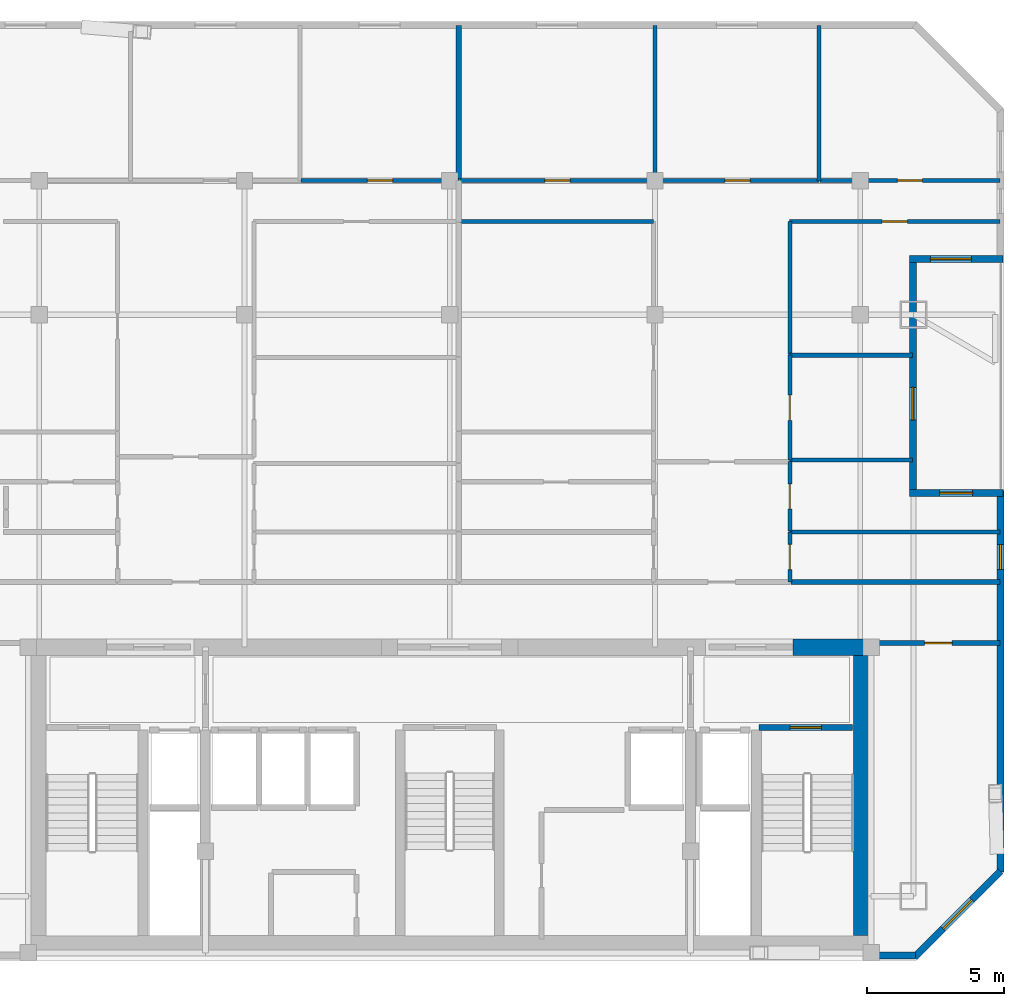
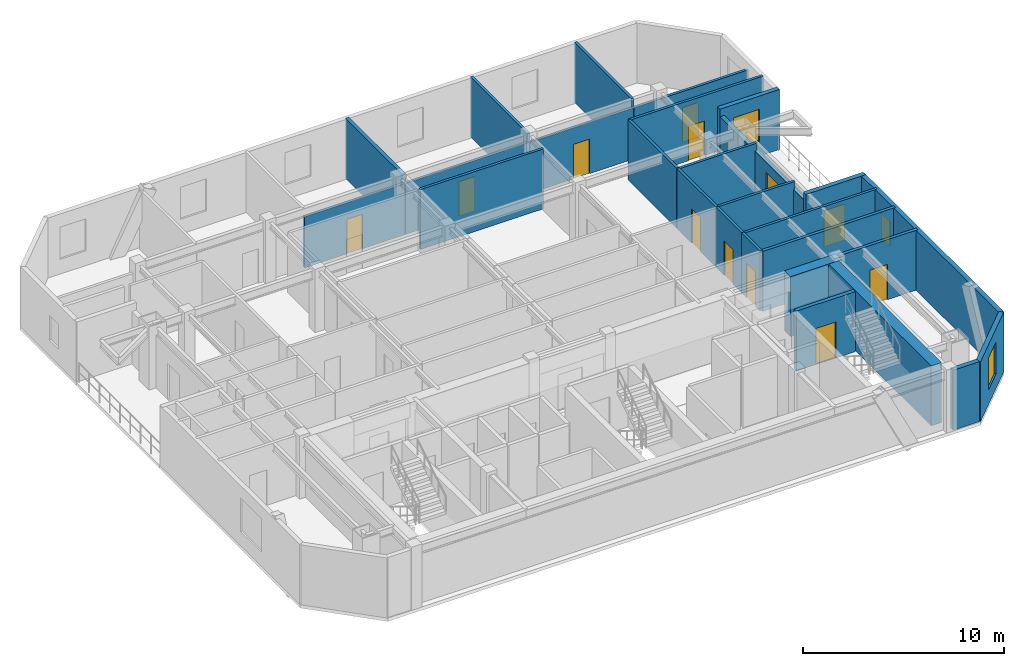
# One storey, part 5 of 7: 27 walls, 11 doors, 4 windows, 15 openings.
"""IFC4 building model written with IfcOpenShell, lengths in metres."""

from ifc_helpers import new_model, si_unit, direction, frame, frame_2d, origin, place, context, subcontext, project, spatial, rectangle, extrude, material, layer, layer_set, type_object, element, fill, save


model = new_model("IFC4")

# Units and contexts
model_context = context("Model", 3, precision=1e-05, world=origin(), true_north=direction((0.0, 1.0)))
body_context = subcontext(model_context, "Body", "Model", "MODEL_VIEW")
ifc_project = project(units=[si_unit("LENGTHUNIT", "METRE"), si_unit("AREAUNIT", "SQUARE_METRE"), si_unit("VOLUMEUNIT", "CUBIC_METRE"), si_unit("PLANEANGLEUNIT", "RADIAN"), si_unit("MASSUNIT", "GRAM", prefix="KILO")], contexts=[model_context])

# Site, building, storey
site_placement = place(None, origin())
site = spatial("IfcSite", under=ifc_project, at=site_placement, CompositionType="ELEMENT")
building_placement = place(site_placement, origin())
building = spatial("IfcBuilding", under=site, at=building_placement, Name="Ventersveld Concourse Tower", CompositionType="ELEMENT")
storey_placement = place(building_placement, frame((0.0, 0.0, 288.75)))
storey = spatial("IfcBuildingStorey", under=building, at=storey_placement, Name="L71", CompositionType="ELEMENT", Elevation=288.75)

# Walls
ifc_material_1 = material(Name="Concrete C50/60", Category="concrete")
ifc_layer_1 = layer(ifc_material_1, 0.60009765625)
ifc_layer_set_1 = layer_set([ifc_layer_1], Name="Concrete C50/60")
wall_type_1 = type_object("IfcWallType", Name="WL-CORE-600", PredefinedType="SHEAR", material=ifc_layer_set_1)
wall_1_placement = place(storey_placement, frame((43.800048828125, 0.919921875, 0.0), z_axis=(0.0, 0.0, 1.0), x_axis=(0.0, 1.0, 0.0)))
element("IfcWall", 1, at=wall_1_placement, inside=storey, type_object=wall_type_1, Name="L71 Rear Core East Shear Wall", PredefinedType="SHEAR", context=body_context, shape_type="SweptSolid", body=[
    extrude(rectangle(XDim=10.530029296875, YDim=0.60009765625, at=frame_2d((5.26513671875, 0.0))), origin(), (0.0, 0.0, 1.0), 3.64990234375),
])
wall_2_placement = place(storey_placement, frame((41.300048828125, 11.449951171875, 0.0), z_axis=(0.0, 0.0, 1.0), x_axis=(1.0, 0.0, 0.0)))
element("IfcWall", 2, at=wall_2_placement, inside=storey, type_object=wall_type_1, Name="L71 Rear Core North Shear Wall NE", PredefinedType="SHEAR", context=body_context, shape_type="SweptSolid", body=[
    extrude(rectangle(XDim=2.949951171875, YDim=0.60009765625, at=frame_2d((1.47509765625, 0.0))), origin(), (0.0, 0.0, 1.0), 3.64990234375),
])

# Wall, opening, door
ifc_material_2 = material(Name="Fire-rated autoclaved aerated masonry blockwork", Category="masonry")
ifc_layer_2 = layer(ifc_material_2, 0.179931640625)
ifc_layer_set_2 = layer_set([ifc_layer_2], Name="Fire-rated autoclaved aerated masonry blockwork")
wall_type_2 = type_object("IfcWallType", Name="WL-CORR-180", PredefinedType="PARTITIONING", material=ifc_layer_set_2)
wall_3_placement = place(storey_placement, frame((44.35498046875, 11.60009765625, 0.0), z_axis=(0.0, 0.0, 1.0), x_axis=(1.0, 0.0, 0.0)))
wall_3 = element("IfcWall", 3, at=wall_3_placement, inside=storey, type_object=wall_type_2, Name="L71 Interior Partition SP-L71-SE-OFF-SP-L71-COR", PredefinedType="PARTITIONING", context=body_context, shape_type="SweptSolid", body=[
    extrude(rectangle(XDim=4.500244140625, YDim=0.179931640625, at=frame_2d((2.25, 0.0))), origin(), (0.0, 0.0, 1.0), 3.64990234375),
])
opening_1_placement = place(wall_3_placement, frame((1.75, 0.0, 0.0)))
opening_1 = element("IfcOpeningElement", 4, at=opening_1_placement, cuts=wall_3, Name="Opening FD3", PredefinedType="OPENING", context=body_context, shape_type="SweptSolid", body=[
    extrude(rectangle(XDim=1.0, YDim=2.14990234375, at=frame_2d((0.5, 1.074951171875))), frame((0.0, 0.10009765625, 0.0), z_axis=(0.0, -1.0, 0.0), x_axis=(1.0, 0.0, 0.0)), (0.0, 0.0, 1.0), 0.199951171875),
])
ifc_material_3 = material(Name="Solid-core hardwood veneer timber", Category="wood")
door_type_1 = type_object("IfcDoorType", Name="DR-FLAT-100", OperationType="NOTDEFINED", PredefinedType="DOOR", material=ifc_material_3)
door_1_placement = place(opening_1_placement, origin())
door_1 = element("IfcDoor", 5, at=door_1_placement, inside=storey, type_object=door_type_1, Name="L71 Interior Door SP-L71-SE-OFF to SP-L71-COR (D-L71-3301)", OperationType="SINGLE_SWING_LEFT", OverallHeight=2.14990234375, OverallWidth=1.0, PredefinedType="DOOR", context=body_context, shape_type="SweptSolid", body=[
    extrude(rectangle(XDim=1.0, YDim=2.14990234375, at=frame_2d((0.5, 1.074951171875))), frame((0.0, 0.02490234375, 0.0), z_axis=(0.0, -1.0, 0.0), x_axis=(1.0, 0.0, 0.0)), (0.0, 0.0, 1.0), 0.050048828125),
])
fill(opening_1, door_1)

# Walls
wall_4_placement = place(storey_placement, frame((41.212646484375, 13.830078125, 0.0), z_axis=(0.0, 0.0, 1.0), x_axis=(1.0, 0.0, 0.0)))
element("IfcWall", 6, at=wall_4_placement, inside=storey, type_object=wall_type_2, Name="L71 Interior Partition SP-L71-COR-SP-L71-71N2-KIT", PredefinedType="PARTITIONING", context=body_context, shape_type="SweptSolid", body=[
    extrude(rectangle(XDim=7.642578125, YDim=0.179931640625, at=frame_2d((3.8212890625, 0.0))), origin(), (0.0, 0.0, 1.0), 3.64990234375),
])
ifc_layer_3 = layer(ifc_material_2, 0.199951171875)
ifc_layer_set_3 = layer_set([ifc_layer_3], Name="Fire-rated autoclaved aerated masonry blockwork")
wall_type_3 = type_object("IfcWallType", Name="WL-DEMISE-200", PredefinedType="PARTITIONING", material=ifc_layer_set_3)
wall_5_placement = place(storey_placement, frame((29.081787109375, 28.534912109375, 0.0), z_axis=(0.0, 0.0, 1.0), x_axis=(0.0, 1.0, 0.0)))
element("IfcWall", 7, at=wall_5_placement, inside=storey, type_object=wall_type_3, Name="L71 Interior Partition SP-L71-71N1-BR3-SP-L71-71N2-BR1", PredefinedType="PARTITIONING", context=body_context, shape_type="SweptSolid", body=[
    extrude(rectangle(XDim=5.63671875, YDim=0.199951171875, at=frame_2d((2.818359375, 0.0))), origin(), (0.0, 0.0, 1.0), 3.64990234375),
])

# Wall, opening, door
ifc_layer_4 = layer(ifc_material_2, 0.219970703125)
ifc_layer_set_4 = layer_set([ifc_layer_4], Name="Fire-rated autoclaved aerated masonry blockwork")
wall_type_4 = type_object("IfcWallType", Name="WL-HOIST-220", PredefinedType="SOLIDWALL", material=ifc_layer_set_4)
wall_6_placement = place(storey_placement, frame((40.06005859375, 8.52001953125, 0.0), z_axis=(0.0, 0.0, 1.0), x_axis=(1.0, 0.0, 0.0)))
wall_6 = element("IfcWall", 8, at=wall_6_placement, inside=storey, type_object=wall_type_4, Name="L71 Escape Stair ST02 Fire Wall", PredefinedType="SOLIDWALL", context=body_context, shape_type="SweptSolid", body=[
    extrude(rectangle(XDim=3.39990234375, YDim=0.219970703125, at=frame_2d((1.699951171875, 0.0))), origin(), (0.0, 0.0, 1.0), 3.64990234375),
])
opening_2_placement = place(wall_6_placement, frame((1.125, 0.0, 0.0)))
opening_2 = element("IfcOpeningElement", 9, at=opening_2_placement, cuts=wall_6, Name="Opening FD1", PredefinedType="OPENING", context=body_context, shape_type="SweptSolid", body=[
    extrude(rectangle(XDim=1.14990234375, YDim=2.199951171875, at=frame_2d((0.574951171875, 1.10009765625))), frame((0.0, 0.1201171875, 0.0), z_axis=(0.0, -1.0, 0.0), x_axis=(1.0, 0.0, 0.0)), (0.0, 0.0, 1.0), 0.239990234375),
])
ifc_material_4 = material(Name="Galvanised painted steel", Category="steel")
door_type_2 = type_object("IfcDoorType", Name="DR-STAIR-115", OperationType="NOTDEFINED", PredefinedType="DOOR", material=ifc_material_4)
door_2_placement = place(opening_2_placement, origin())
door_2 = element("IfcDoor", 10, at=door_2_placement, inside=storey, type_object=door_type_2, Name="L71 Escape Stair Door ST02 (SD-L71-3291)", OperationType="SINGLE_SWING_RIGHT", OverallHeight=2.199951171875, OverallWidth=1.14990234375, PredefinedType="DOOR", context=body_context, shape_type="SweptSolid", body=[
    extrude(rectangle(XDim=1.14990234375, YDim=2.199951171875, at=frame_2d((0.574951171875, 1.10009765625))), frame((0.0, 0.02490234375, 0.0), z_axis=(0.0, -1.0, 0.0), x_axis=(1.0, 0.0, 0.0)), (0.0, 0.0, 1.0), 0.050048828125),
])
fill(opening_2, door_2)

ifc_material_5 = material(Name="Autoclaved aerated masonry blockwork", Category="masonry")
ifc_layer_5 = layer(ifc_material_5, 0.14990234375)
ifc_layer_set_5 = layer_set([ifc_layer_5], Name="Autoclaved aerated masonry blockwork")
wall_type_5 = type_object("IfcWallType", Name="WL-INT-150", PredefinedType="PARTITIONING", material=ifc_layer_set_5)
wall_7_placement = place(storey_placement, frame((23.3203125, 28.5, 0.0), z_axis=(0.0, 0.0, 1.0), x_axis=(1.0, 0.0, 0.0)))
wall_7 = element("IfcWall", 11, at=wall_7_placement, inside=storey, type_object=wall_type_5, Name="L71 Interior Partition SP-L71-71N1-LIV-SP-L71-71N1-BR3", PredefinedType="PARTITIONING", context=body_context, shape_type="SweptSolid", body=[
    extrude(rectangle(XDim=5.766357421875, YDim=0.14990234375, at=frame_2d((2.88330078125, 0.0))), origin(), (0.0, 0.0, 1.0), 3.116943359375),
])
opening_3_placement = place(wall_7_placement, frame((2.42333984375, 0.0, 0.0)))
opening_3 = element("IfcOpeningElement", 12, at=opening_3_placement, cuts=wall_7, Name="Opening ID1", PredefinedType="OPENING", context=body_context, shape_type="SweptSolid", body=[
    extrude(rectangle(XDim=0.919921875, YDim=2.10009765625, at=frame_2d((0.4599609375, 1.050048828125))), frame((0.0, 0.0849609375, 0.0), z_axis=(0.0, -1.0, 0.0), x_axis=(1.0, 0.0, 0.0)), (0.0, 0.0, 1.0), 0.169921875),
])
door_type_3 = type_object("IfcDoorType", Name="DR-ROOM-092", OperationType="NOTDEFINED", PredefinedType="DOOR", material=ifc_material_3)
door_3_placement = place(opening_3_placement, origin())
door_3 = element("IfcDoor", 13, at=door_3_placement, inside=storey, type_object=door_type_3, Name="L71 Interior Door SP-L71-71N1-LIV to SP-L71-71N1-BR3 (D-L71-3314)", OperationType="SINGLE_SWING_RIGHT", OverallHeight=2.10009765625, OverallWidth=0.919921875, PredefinedType="DOOR", context=body_context, shape_type="SweptSolid", body=[
    extrude(rectangle(XDim=0.919921875, YDim=2.10009765625, at=frame_2d((0.4599609375, 1.050048828125))), frame((0.0, 0.02490234375, 0.0), z_axis=(0.0, -1.0, 0.0), x_axis=(1.0, 0.0, 0.0)), (0.0, 0.0, 1.0), 0.050048828125),
])
fill(opening_3, door_3)

wall_8_placement = place(storey_placement, frame((41.177490234375, 13.824951171875, 0.0), z_axis=(0.0, 0.0, 1.0), x_axis=(0.0, 1.0, 0.0)))
wall_8 = element("IfcWall", 14, at=wall_8_placement, inside=storey, type_object=wall_type_5, Name="L71 Interior Partition SP-L71-71N2-FOY-SP-L71-71N2-KIT", PredefinedType="PARTITIONING", context=body_context, shape_type="SweptSolid", body=[
    extrude(rectangle(XDim=1.840087890625, YDim=0.14990234375, at=frame_2d((0.919921875, 0.0))), origin(), (0.0, 0.0, 1.0), 3.64990234375),
])
opening_4_placement = place(wall_8_placement, frame((0.4599609375, 0.0, 0.0)))
opening_4 = element("IfcOpeningElement", 15, at=opening_4_placement, cuts=wall_8, Name="Opening ID1", PredefinedType="OPENING", context=body_context, shape_type="SweptSolid", body=[
    extrude(rectangle(XDim=0.919921875, YDim=2.10009765625, at=frame_2d((0.4599609375, 1.050048828125))), frame((0.0, 0.0849609375, 0.0), z_axis=(0.0, -1.0, 0.0), x_axis=(1.0, 0.0, 0.0)), (0.0, 0.0, 1.0), 0.169921875),
])
door_4_placement = place(opening_4_placement, origin())
door_4 = element("IfcDoor", 16, at=door_4_placement, inside=storey, type_object=door_type_3, Name="L71 Interior Door SP-L71-71N2-FOY to SP-L71-71N2-KIT (D-L71-3318)", OperationType="SINGLE_SWING_RIGHT", OverallHeight=2.10009765625, OverallWidth=0.919921875, PredefinedType="DOOR", context=body_context, shape_type="SweptSolid", body=[
    extrude(rectangle(XDim=0.919921875, YDim=2.10009765625, at=frame_2d((0.4599609375, 1.050048828125))), frame((0.0, 0.02490234375, 0.0), z_axis=(0.0, -1.0, 0.0), x_axis=(1.0, 0.0, 0.0)), (0.0, 0.0, 1.0), 0.050048828125),
])
fill(opening_4, door_4)

wall_9_placement = place(storey_placement, frame((41.177490234375, 15.695068359375, 0.0), z_axis=(0.0, 0.0, 1.0), x_axis=(0.0, 1.0, 0.0)))
wall_9 = element("IfcWall", 17, at=wall_9_placement, inside=storey, type_object=wall_type_5, Name="L71 Interior Partition SP-L71-71N2-FOY-SP-L71-71N2-SEMR1", PredefinedType="PARTITIONING", context=body_context, shape_type="SweptSolid", body=[
    extrude(rectangle(XDim=2.535400390625, YDim=0.14990234375, at=frame_2d((1.267578125, 0.0))), origin(), (0.0, 0.0, 1.0), 3.64990234375),
])
opening_5_placement = place(wall_9_placement, frame((0.8076171875, 0.0, 0.0)))
opening_5 = element("IfcOpeningElement", 18, at=opening_5_placement, cuts=wall_9, Name="Opening ID1", PredefinedType="OPENING", context=body_context, shape_type="SweptSolid", body=[
    extrude(rectangle(XDim=0.919921875, YDim=2.10009765625, at=frame_2d((0.4599609375, 1.050048828125))), frame((0.0, 0.0849609375, 0.0), z_axis=(0.0, -1.0, 0.0), x_axis=(1.0, 0.0, 0.0)), (0.0, 0.0, 1.0), 0.169921875),
])
door_5_placement = place(opening_5_placement, origin())
door_5 = element("IfcDoor", 19, at=door_5_placement, inside=storey, type_object=door_type_3, Name="L71 Interior Door SP-L71-71N2-FOY to SP-L71-71N2-SEMR1 (D-L71-3319)", OperationType="SINGLE_SWING_LEFT", OverallHeight=2.10009765625, OverallWidth=0.919921875, PredefinedType="DOOR", context=body_context, shape_type="SweptSolid", body=[
    extrude(rectangle(XDim=0.919921875, YDim=2.10009765625, at=frame_2d((0.4599609375, 1.050048828125))), frame((0.0, 0.02490234375, 0.0), z_axis=(0.0, -1.0, 0.0), x_axis=(1.0, 0.0, 0.0)), (0.0, 0.0, 1.0), 0.050048828125),
])
fill(opening_5, door_5)

# Wall
wall_10_placement = place(storey_placement, frame((29.11669921875, 27.0, 0.0), z_axis=(0.0, 0.0, 1.0), x_axis=(1.0, 0.0, 0.0)))
element("IfcWall", 20, at=wall_10_placement, inside=storey, type_object=wall_type_5, Name="L71 Interior Partition SP-L71-71N2-LIV-SP-L71-71N2-DENL", PredefinedType="PARTITIONING", context=body_context, shape_type="SweptSolid", body=[
    extrude(rectangle(XDim=7.0859375, YDim=0.14990234375, at=frame_2d((3.54296875, 0.0))), origin(), (0.0, 0.0, 1.0), 3.64990234375),
])

# Wall, opening, door
wall_11_placement = place(storey_placement, frame((41.177490234375, 18.2822265625, 0.0), z_axis=(0.0, 0.0, 1.0), x_axis=(0.0, 1.0, 0.0)))
wall_11 = element("IfcWall", 21, at=wall_11_placement, inside=storey, type_object=wall_type_5, Name="L71 Interior Partition SP-L71-71N2-LIV-SP-L71-71N2-DENS", PredefinedType="PARTITIONING", context=body_context, shape_type="SweptSolid", body=[
    extrude(rectangle(XDim=3.841552734375, YDim=0.14990234375, at=frame_2d((1.9208984375, 0.0))), origin(), (0.0, 0.0, 1.0), 3.64990234375),
])
opening_6_placement = place(wall_11_placement, frame((1.460693359375, 0.0, 0.0)))
opening_6 = element("IfcOpeningElement", 22, at=opening_6_placement, cuts=wall_11, Name="Opening ID1", PredefinedType="OPENING", context=body_context, shape_type="SweptSolid", body=[
    extrude(rectangle(XDim=0.919921875, YDim=2.10009765625, at=frame_2d((0.4599609375, 1.050048828125))), frame((0.0, 0.0849609375, 0.0), z_axis=(0.0, -1.0, 0.0), x_axis=(1.0, 0.0, 0.0)), (0.0, 0.0, 1.0), 0.169921875),
])
door_6_placement = place(opening_6_placement, origin())
door_6 = element("IfcDoor", 23, at=door_6_placement, inside=storey, type_object=door_type_3, Name="L71 Interior Door SP-L71-71N2-LIV to SP-L71-71N2-DENS (D-L71-3321)", OperationType="SINGLE_SWING_LEFT", OverallHeight=2.10009765625, OverallWidth=0.919921875, PredefinedType="DOOR", context=body_context, shape_type="SweptSolid", body=[
    extrude(rectangle(XDim=0.919921875, YDim=2.10009765625, at=frame_2d((0.4599609375, 1.050048828125))), frame((0.0, 0.02490234375, 0.0), z_axis=(0.0, -1.0, 0.0), x_axis=(1.0, 0.0, 0.0)), (0.0, 0.0, 1.0), 0.050048828125),
])
fill(opening_6, door_6)

wall_12_placement = place(storey_placement, frame((41.172607421875, 27.0, 0.0), z_axis=(0.0, 0.0, 1.0), x_axis=(1.0, 0.0, 0.0)))
wall_12 = element("IfcWall", 24, at=wall_12_placement, inside=storey, type_object=wall_type_5, Name="L71 Interior Partition SP-L71-71N2-LIV-SP-L71-71N2-DENS2", PredefinedType="PARTITIONING", context=body_context, shape_type="SweptSolid", body=[
    extrude(rectangle(XDim=7.6826171875, YDim=0.14990234375, at=frame_2d((3.84130859375, 0.0))), origin(), (0.0, 0.0, 1.0), 3.64990234375),
])
opening_7_placement = place(wall_12_placement, frame((3.38134765625, 0.0, 0.0)))
opening_7 = element("IfcOpeningElement", 25, at=opening_7_placement, cuts=wall_12, Name="Opening ID1", PredefinedType="OPENING", context=body_context, shape_type="SweptSolid", body=[
    extrude(rectangle(XDim=0.919921875, YDim=2.10009765625, at=frame_2d((0.4599609375, 1.050048828125))), frame((0.0, 0.0849609375, 0.0), z_axis=(0.0, -1.0, 0.0), x_axis=(1.0, 0.0, 0.0)), (0.0, 0.0, 1.0), 0.169921875),
])
door_7_placement = place(opening_7_placement, origin())
door_7 = element("IfcDoor", 26, at=door_7_placement, inside=storey, type_object=door_type_3, Name="L71 Interior Door SP-L71-71N2-LIV to SP-L71-71N2-DENS2 (D-L71-3322)", OperationType="SINGLE_SWING_RIGHT", OverallHeight=2.10009765625, OverallWidth=0.919921875, PredefinedType="DOOR", context=body_context, shape_type="SweptSolid", body=[
    extrude(rectangle(XDim=0.919921875, YDim=2.10009765625, at=frame_2d((0.4599609375, 1.050048828125))), frame((0.0, 0.02490234375, 0.0), z_axis=(0.0, -1.0, 0.0), x_axis=(1.0, 0.0, 0.0)), (0.0, 0.0, 1.0), 0.050048828125),
])
fill(opening_7, door_7)

# Wall
wall_13_placement = place(storey_placement, frame((41.177490234375, 22.15380859375, 0.0), z_axis=(0.0, 0.0, 1.0), x_axis=(0.0, 1.0, 0.0)))
element("IfcWall", 27, at=wall_13_placement, inside=storey, type_object=wall_type_5, Name="L71 Interior Partition SP-L71-71N2-LIV-SP-L71-71N2-DENS2", PredefinedType="PARTITIONING", context=body_context, shape_type="SweptSolid", body=[
    extrude(rectangle(XDim=4.85107421875, YDim=0.14990234375, at=frame_2d((2.425537109375, 0.0))), origin(), (0.0, 0.0, 1.0), 3.64990234375),
])

# Wall, opening, door
wall_14_placement = place(storey_placement, frame((29.11669921875, 28.5, 0.0), z_axis=(0.0, 0.0, 1.0), x_axis=(1.0, 0.0, 0.0)))
wall_14 = element("IfcWall", 28, at=wall_14_placement, inside=storey, type_object=wall_type_5, Name="L71 Interior Partition SP-L71-71N2-LIV-SP-L71-71N2-BR1", PredefinedType="PARTITIONING", context=body_context, shape_type="SweptSolid", body=[
    extrude(rectangle(XDim=7.13818359375, YDim=0.14990234375, at=frame_2d((3.569091796875, 0.0))), origin(), (0.0, 0.0, 1.0), 3.116943359375),
])
opening_8_placement = place(wall_14_placement, frame((3.109130859375, 0.0, 0.0)))
opening_8 = element("IfcOpeningElement", 29, at=opening_8_placement, cuts=wall_14, Name="Opening ID1", PredefinedType="OPENING", context=body_context, shape_type="SweptSolid", body=[
    extrude(rectangle(XDim=0.919921875, YDim=2.10009765625, at=frame_2d((0.4599609375, 1.050048828125))), frame((0.0, 0.0849609375, 0.0), z_axis=(0.0, -1.0, 0.0), x_axis=(1.0, 0.0, 0.0)), (0.0, 0.0, 1.0), 0.169921875),
])
door_8_placement = place(opening_8_placement, origin())
door_8 = element("IfcDoor", 30, at=door_8_placement, inside=storey, type_object=door_type_3, Name="L71 Interior Door SP-L71-71N2-LIV to SP-L71-71N2-BR1 (D-L71-3323)", OperationType="SINGLE_SWING_LEFT", OverallHeight=2.10009765625, OverallWidth=0.919921875, PredefinedType="DOOR", context=body_context, shape_type="SweptSolid", body=[
    extrude(rectangle(XDim=0.919921875, YDim=2.10009765625, at=frame_2d((0.4599609375, 1.050048828125))), frame((0.0, 0.02490234375, 0.0), z_axis=(0.0, -1.0, 0.0), x_axis=(1.0, 0.0, 0.0)), (0.0, 0.0, 1.0), 0.050048828125),
])
fill(opening_8, door_8)

wall_15_placement = place(storey_placement, frame((36.284912109375, 28.5, 0.0), z_axis=(0.0, 0.0, 1.0), x_axis=(1.0, 0.0, 0.0)))
wall_15 = element("IfcWall", 31, at=wall_15_placement, inside=storey, type_object=wall_type_5, Name="L71 Interior Partition SP-L71-71N2-LIV-SP-L71-71N2-BR2", PredefinedType="PARTITIONING", context=body_context, shape_type="SweptSolid", body=[
    extrude(rectangle(XDim=5.96044921875, YDim=0.14990234375, at=frame_2d((2.980224609375, 0.0))), origin(), (0.0, 0.0, 1.0), 3.116943359375),
])
opening_9_placement = place(wall_15_placement, frame((2.52001953125, 0.0, 0.0)))
opening_9 = element("IfcOpeningElement", 32, at=opening_9_placement, cuts=wall_15, Name="Opening ID1", PredefinedType="OPENING", context=body_context, shape_type="SweptSolid", body=[
    extrude(rectangle(XDim=0.919921875, YDim=2.10009765625, at=frame_2d((0.4599609375, 1.050048828125))), frame((0.0, 0.0849609375, 0.0), z_axis=(0.0, -1.0, 0.0), x_axis=(1.0, 0.0, 0.0)), (0.0, 0.0, 1.0), 0.169921875),
])
door_9_placement = place(opening_9_placement, origin())
door_9 = element("IfcDoor", 33, at=door_9_placement, inside=storey, type_object=door_type_3, Name="L71 Interior Door SP-L71-71N2-LIV to SP-L71-71N2-BR2 (D-L71-3324)", OperationType="SINGLE_SWING_RIGHT", OverallHeight=2.10009765625, OverallWidth=0.919921875, PredefinedType="DOOR", context=body_context, shape_type="SweptSolid", body=[
    extrude(rectangle(XDim=0.919921875, YDim=2.10009765625, at=frame_2d((0.4599609375, 1.050048828125))), frame((0.0, 0.02490234375, 0.0), z_axis=(0.0, -1.0, 0.0), x_axis=(1.0, 0.0, 0.0)), (0.0, 0.0, 1.0), 0.050048828125),
])
fill(opening_9, door_9)

wall_16_placement = place(storey_placement, frame((42.275390625, 28.5, 0.0), z_axis=(0.0, 0.0, 1.0), x_axis=(1.0, 0.0, 0.0)))
wall_16 = element("IfcWall", 34, at=wall_16_placement, inside=storey, type_object=wall_type_5, Name="L71 Interior Partition SP-L71-71N2-LIV-SP-L71-71N2-BR3", PredefinedType="PARTITIONING", context=body_context, shape_type="SweptSolid", body=[
    extrude(rectangle(XDim=6.579833984375, YDim=0.14990234375, at=frame_2d((3.2900390625, 0.0))), origin(), (0.0, 0.0, 1.0), 3.116943359375),
])
opening_10_placement = place(wall_16_placement, frame((2.830078125, 0.0, 0.0)))
opening_10 = element("IfcOpeningElement", 35, at=opening_10_placement, cuts=wall_16, Name="Opening ID1", PredefinedType="OPENING", context=body_context, shape_type="SweptSolid", body=[
    extrude(rectangle(XDim=0.919921875, YDim=2.10009765625, at=frame_2d((0.4599609375, 1.050048828125))), frame((0.0, 0.0849609375, 0.0), z_axis=(0.0, -1.0, 0.0), x_axis=(1.0, 0.0, 0.0)), (0.0, 0.0, 1.0), 0.169921875),
])
door_10_placement = place(opening_10_placement, origin())
door_10 = element("IfcDoor", 36, at=door_10_placement, inside=storey, type_object=door_type_3, Name="L71 Interior Door SP-L71-71N2-LIV to SP-L71-71N2-BR3 (D-L71-3325)", OperationType="SINGLE_SWING_LEFT", OverallHeight=2.10009765625, OverallWidth=0.919921875, PredefinedType="DOOR", context=body_context, shape_type="SweptSolid", body=[
    extrude(rectangle(XDim=0.919921875, YDim=2.10009765625, at=frame_2d((0.4599609375, 1.050048828125))), frame((0.0, 0.02490234375, 0.0), z_axis=(0.0, -1.0, 0.0), x_axis=(1.0, 0.0, 0.0)), (0.0, 0.0, 1.0), 0.050048828125),
])
fill(opening_10, door_10)

# Walls
wall_17_placement = place(storey_placement, frame((41.172607421875, 15.659912109375, 0.0), z_axis=(0.0, 0.0, 1.0), x_axis=(1.0, 0.0, 0.0)))
element("IfcWall", 37, at=wall_17_placement, inside=storey, type_object=wall_type_5, Name="L71 Interior Partition SP-L71-71N2-KIT-SP-L71-71N2-SEMR1", PredefinedType="PARTITIONING", context=body_context, shape_type="SweptSolid", body=[
    extrude(rectangle(XDim=7.6826171875, YDim=0.14990234375, at=frame_2d((3.84130859375, 0.0))), origin(), (0.0, 0.0, 1.0), 3.64990234375),
])
for number, where, z_axis, x_axis, name in (
    (38, (41.172607421875, 18.287109375, 0.0), (0.0, 0.0, 1.0), (1.0, 0.0, 0.0), "L71 Interior Partition SP-L71-71N2-SEMR1-SP-L71-71N2-DENS"),
    (39, (41.172607421875, 22.11865234375, 0.0), (0.0, 0.0, 1.0), (1.0, 0.0, 0.0), "L71 Interior Partition SP-L71-71N2-DENS-SP-L71-71N2-DENS2"),
):
    element("IfcWall", number, at=place(storey_placement, frame(where, z_axis=z_axis, x_axis=x_axis)), inside=storey, type_object=wall_type_5, Name=name, PredefinedType="PARTITIONING", context=body_context, shape_type="SweptSolid", body=[
        extrude(rectangle(XDim=4.482666015625, YDim=0.14990234375, at=frame_2d((2.2412109375, 0.0))), origin(), (0.0, 0.0, 1.0), 3.64990234375),
    ])
for number, where, z_axis, x_axis, name in (
    (40, (36.25, 28.4951171875, 0.0), (0.0, 0.0, 1.0), (0.0, 1.0, 0.0), "L71 Interior Partition SP-L71-71N2-BR1-SP-L71-71N2-BR2"),
    (41, (42.240234375, 28.4951171875, 0.0), (0.0, 0.0, 1.0), (0.0, 1.0, 0.0), "L71 Interior Partition SP-L71-71N2-BR2-SP-L71-71N2-BR3"),
):
    element("IfcWall", number, at=place(storey_placement, frame(where, z_axis=z_axis, x_axis=x_axis)), inside=storey, type_object=wall_type_5, Name=name, PredefinedType="PARTITIONING", context=body_context, shape_type="SweptSolid", body=[
        extrude(rectangle(XDim=5.676513671875, YDim=0.14990234375, at=frame_2d((2.83837890625, 0.0))), origin(), (0.0, 0.0, 1.0), 3.64990234375),
    ])
ifc_material_6 = material(Name="Precast concrete C45/55", Category="concrete")
ifc_layer_6 = layer(ifc_material_6, 0.260009765625)
ifc_layer_set_6 = layer_set([ifc_layer_6], Name="Precast concrete C45/55")
wall_type_6 = type_object("IfcWallType", Name="WL-PREC-260", PredefinedType="SOLIDWALL", material=ifc_layer_set_6)
wall_18_placement = place(storey_placement, frame((44.25, 0.179931640625, 0.0), z_axis=(0.0, 0.0, 1.0), x_axis=(1.0, 0.0, 0.0)))
element("IfcWall", 42, at=wall_18_placement, inside=storey, type_object=wall_type_6, Name="L71 South-East Flank Precast Wall", PredefinedType="SOLIDWALL", context=body_context, shape_type="SweptSolid", body=[
    extrude(rectangle(XDim=1.5146484375, YDim=0.260009765625, at=frame_2d((0.75732421875, 0.0))), origin(), (0.0, 0.0, 1.0), 3.64990234375),
])

# Wall, opening, window
wall_19_placement = place(storey_placement, frame((45.7412109375, 0.1201171875, 0.0), z_axis=(0.0, 0.0, 1.0), x_axis=(0.707079321262, 0.707134240044, 0.0)))
wall_19 = element("IfcWall", 43, at=wall_19_placement, inside=storey, type_object=wall_type_6, Name="L71 Highveld Precast Facade Wall E02", PredefinedType="SOLIDWALL", context=body_context, shape_type="SweptSolid", body=[
    extrude(rectangle(XDim=4.445556640625, YDim=0.260009765625, at=frame_2d((2.22265625, 0.0))), origin(), (0.0, 0.0, 1.0), 3.64990234375),
])
opening_11_placement = place(wall_19_placement, frame((1.47265625, 0.0, 0.89990234375)))
opening_11 = element("IfcOpeningElement", 44, at=opening_11_placement, cuts=wall_19, Name="Opening W1", PredefinedType="OPENING", context=body_context, shape_type="SweptSolid", body=[
    extrude(rectangle(XDim=1.5, YDim=1.949951171875, at=frame_2d((0.75, 0.97509765625))), frame((0.0, 0.14013671875, 0.0), z_axis=(0.0, -1.0, 0.0), x_axis=(1.0, 0.0, 0.0)), (0.0, 0.0, 1.0), 0.280029296875),
])
ifc_material_7 = material(Name="Tempered acoustic Low-E IGU", Category="glass")
window_type_1 = type_object("IfcWindowType", Name="WIN-150x210", PartitioningType="SINGLE_PANEL", PredefinedType="WINDOW", material=ifc_material_7)
window_1_placement = place(opening_11_placement, origin())
window_1 = element("IfcWindow", 45, at=window_1_placement, inside=storey, type_object=window_type_1, Name="L71 Punched Low-E Window W-1010", OverallHeight=1.949951171875, OverallWidth=1.5, PartitioningType="SINGLE_PANEL", PredefinedType="WINDOW", context=body_context, shape_type="SweptSolid", body=[
    extrude(rectangle(XDim=1.5, YDim=1.949951171875, at=frame_2d((0.75, 0.97509765625))), frame((0.0, 0.030029296875, 0.0), z_axis=(0.0, -1.0, 0.0), x_axis=(1.0, 0.0, 0.0)), (0.0, 0.0, 1.0), 0.06005859375),
])
fill(opening_11, window_1)

wall_20_placement = place(storey_placement, frame((48.874755859375, 3.239990234375, 0.0), z_axis=(0.0, 0.0, 1.0), x_axis=(0.0, 1.0, 0.0)))
wall_20 = element("IfcWall", 46, at=wall_20_placement, inside=storey, type_object=wall_type_6, Name="L71 Highveld Precast Facade Wall E03", PredefinedType="SOLIDWALL", context=body_context, shape_type="SweptSolid", body=[
    extrude(rectangle(XDim=13.9306640625, YDim=0.260009765625, at=frame_2d((6.96533203125, 0.0))), origin(), (0.0, 0.0, 1.0), 3.64990234375),
])
opening_12_placement = place(wall_20_placement, frame((11.054931640625, 0.0, 0.949951171875)))
opening_12 = element("IfcOpeningElement", 47, at=opening_12_placement, cuts=wall_20, Name="Opening W4", PredefinedType="OPENING", context=body_context, shape_type="SweptSolid", body=[
    extrude(rectangle(XDim=0.89990234375, YDim=1.5, at=frame_2d((0.449951171875, 0.75))), frame((0.0, 0.14013671875, 0.0), z_axis=(0.0, -1.0, 0.0), x_axis=(1.0, 0.0, 0.0)), (0.0, 0.0, 1.0), 0.280029296875),
])
window_type_2 = type_object("IfcWindowType", Name="WIN-090x150", PartitioningType="SINGLE_PANEL", PredefinedType="WINDOW", material=ifc_material_7)
window_2_placement = place(opening_12_placement, origin())
window_2 = element("IfcWindow", 48, at=window_2_placement, inside=storey, type_object=window_type_2, Name="L71 Punched Low-E Window W-1017", OverallHeight=1.5, OverallWidth=0.89990234375, PartitioningType="SINGLE_PANEL", PredefinedType="WINDOW", context=body_context, shape_type="SweptSolid", body=[
    extrude(rectangle(XDim=0.89990234375, YDim=1.5, at=frame_2d((0.449951171875, 0.75))), frame((0.0, 0.030029296875, 0.0), z_axis=(0.0, -1.0, 0.0), x_axis=(1.0, 0.0, 0.0)), (0.0, 0.0, 1.0), 0.06005859375),
])
fill(opening_12, window_2)

# Wall, opening, door
wall_21_placement = place(storey_placement, frame((48.964599609375, 17.08056640625, 0.0), z_axis=(0.0, 0.0, 1.0), x_axis=(-1.0, 0.0, 0.0)))
wall_21 = element("IfcWall", 49, at=wall_21_placement, inside=storey, type_object=wall_type_6, Name="L71 Highveld Precast Facade Wall E04", PredefinedType="SOLIDWALL", context=body_context, shape_type="SweptSolid", body=[
    extrude(rectangle(XDim=3.419921875, YDim=0.260009765625, at=frame_2d((1.7099609375, 0.0))), origin(), (0.0, 0.0, 1.0), 3.64990234375),
])
opening_13_placement = place(wall_21_placement, frame((1.110107421875, 0.0, 0.0)))
opening_13 = element("IfcOpeningElement", 50, at=opening_13_placement, cuts=wall_21, Name="Opening TD1", PredefinedType="OPENING", context=body_context, shape_type="SweptSolid", body=[
    extrude(rectangle(XDim=1.199951171875, YDim=2.199951171875, at=frame_2d((0.60009765625, 1.10009765625))), frame((0.0, 0.14013671875, 0.0), z_axis=(0.0, -1.0, 0.0), x_axis=(1.0, 0.0, 0.0)), (0.0, 0.0, 1.0), 0.280029296875),
])
ifc_material_8 = material(Name="Anodised aluminium EN AW-6063-T6", Category="aluminium")
door_type_4 = type_object("IfcDoorType", Name="DR-TERR-120", OperationType="NOTDEFINED", PredefinedType="DOOR", material=ifc_material_8)
door_11_placement = place(opening_13_placement, frame((1.199951171875, 0.0, 0.0), z_axis=(0.0, 0.0, 1.0), x_axis=(-1.0, 0.0, 0.0)))
door_11 = element("IfcDoor", 51, at=door_11_placement, inside=storey, type_object=door_type_4, Name="L71 Stepped Valley Terrace Door TD-L71-02", OperationType="SINGLE_SWING_LEFT", OverallHeight=2.199951171875, OverallWidth=1.199951171875, PredefinedType="DOOR", context=body_context, shape_type="SweptSolid", body=[
    extrude(rectangle(XDim=1.199951171875, YDim=2.199951171875, at=frame_2d((0.60009765625, 1.10009765625))), frame((0.0, 0.02490234375, 0.0), z_axis=(0.0, -1.0, 0.0), x_axis=(1.0, 0.0, 0.0)), (0.0, 0.0, 1.0), 0.050048828125),
])
fill(opening_13, door_11)

# Wall, opening, window
wall_22_placement = place(storey_placement, frame((45.6748046875, 17.210693359375, 0.0), z_axis=(0.0, 0.0, 1.0), x_axis=(0.0, 1.0, 0.0)))
wall_22 = element("IfcWall", 52, at=wall_22_placement, inside=storey, type_object=wall_type_6, Name="L71 Highveld Precast Facade Wall E05", PredefinedType="SOLIDWALL", context=body_context, shape_type="SweptSolid", body=[
    extrude(rectangle(XDim=8.2998046875, YDim=0.260009765625, at=frame_2d((4.14990234375, 0.0))), origin(), (0.0, 0.0, 1.0), 3.18994140625),
])
opening_14_placement = place(wall_22_placement, frame((2.535888671875, 0.0, 0.89990234375)))
opening_14 = element("IfcOpeningElement", 53, at=opening_14_placement, cuts=wall_22, Name="Opening W3", PredefinedType="OPENING", context=body_context, shape_type="SweptSolid", body=[
    extrude(rectangle(XDim=1.199951171875, YDim=1.699951171875, at=frame_2d((0.60009765625, 0.85009765625))), frame((0.0, 0.14013671875, 0.0), z_axis=(0.0, -1.0, 0.0), x_axis=(1.0, 0.0, 0.0)), (0.0, 0.0, 1.0), 0.280029296875),
])
window_type_3 = type_object("IfcWindowType", Name="WIN-120x180", PartitioningType="SINGLE_PANEL", PredefinedType="WINDOW", material=ifc_material_7)
window_3_placement = place(opening_14_placement, origin())
window_3 = element("IfcWindow", 54, at=window_3_placement, inside=storey, type_object=window_type_3, Name="L71 Punched Low-E Window W-1018", OverallHeight=1.699951171875, OverallWidth=1.199951171875, PartitioningType="SINGLE_PANEL", PredefinedType="WINDOW", context=body_context, shape_type="SweptSolid", body=[
    extrude(rectangle(XDim=1.199951171875, YDim=1.699951171875, at=frame_2d((0.60009765625, 0.85009765625))), frame((0.0, 0.030029296875, 0.0), z_axis=(0.0, -1.0, 0.0), x_axis=(1.0, 0.0, 0.0)), (0.0, 0.0, 1.0), 0.06005859375),
])
fill(opening_14, window_3)

wall_23_placement = place(storey_placement, frame((45.544677734375, 25.640625, 0.0), z_axis=(0.0, 0.0, 1.0), x_axis=(1.0, 0.0, 0.0)))
wall_23 = element("IfcWall", 55, at=wall_23_placement, inside=storey, type_object=wall_type_6, Name="L71 Highveld Precast Facade Wall E06", PredefinedType="SOLIDWALL", context=body_context, shape_type="SweptSolid", body=[
    extrude(rectangle(XDim=3.419921875, YDim=0.260009765625, at=frame_2d((1.7099609375, 0.0))), origin(), (0.0, 0.0, 1.0), 3.64990234375),
])
opening_15_placement = place(wall_23_placement, frame((0.77001953125, 0.0, 0.89990234375)))
opening_15 = element("IfcOpeningElement", 56, at=opening_15_placement, cuts=wall_23, Name="Opening W1", PredefinedType="OPENING", context=body_context, shape_type="SweptSolid", body=[
    extrude(rectangle(XDim=1.5, YDim=1.949951171875, at=frame_2d((0.75, 0.97509765625))), frame((0.0, 0.14013671875, 0.0), z_axis=(0.0, -1.0, 0.0), x_axis=(1.0, 0.0, 0.0)), (0.0, 0.0, 1.0), 0.280029296875),
])
window_4_placement = place(opening_15_placement, origin())
window_4 = element("IfcWindow", 57, at=window_4_placement, inside=storey, type_object=window_type_1, Name="L71 Punched Low-E Window W-1019", OverallHeight=1.949951171875, OverallWidth=1.5, PartitioningType="SINGLE_PANEL", PredefinedType="WINDOW", context=body_context, shape_type="SweptSolid", body=[
    extrude(rectangle(XDim=1.5, YDim=1.949951171875, at=frame_2d((0.75, 0.97509765625))), frame((0.0, 0.030029296875, 0.0), z_axis=(0.0, -1.0, 0.0), x_axis=(1.0, 0.0, 0.0)), (0.0, 0.0, 1.0), 0.06005859375),
])
fill(opening_15, window_4)

save(model, "model.ifc")
